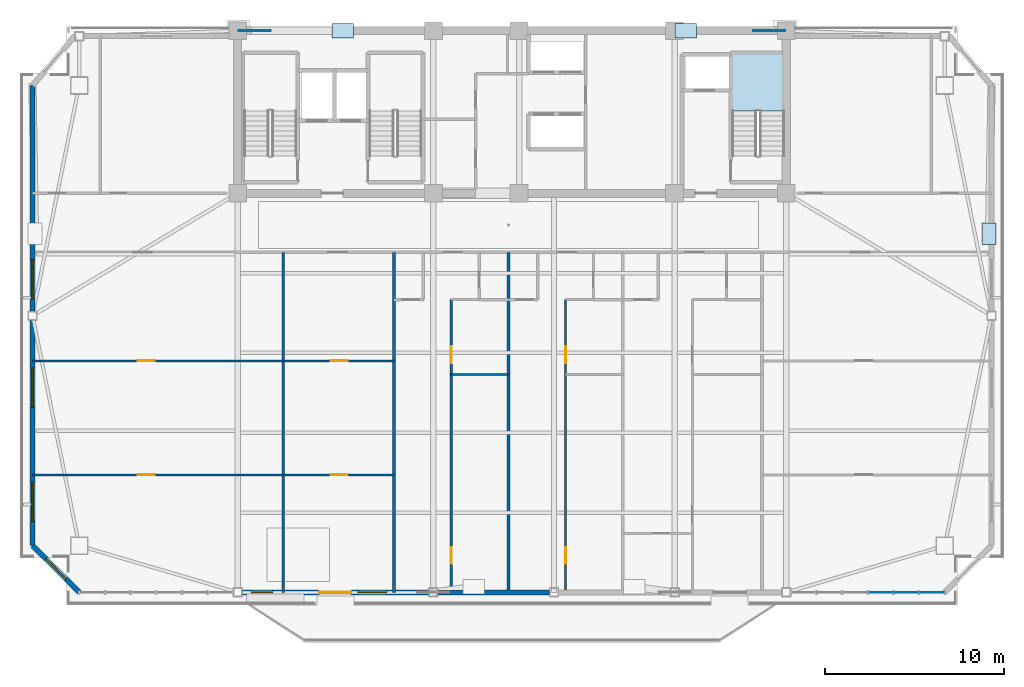
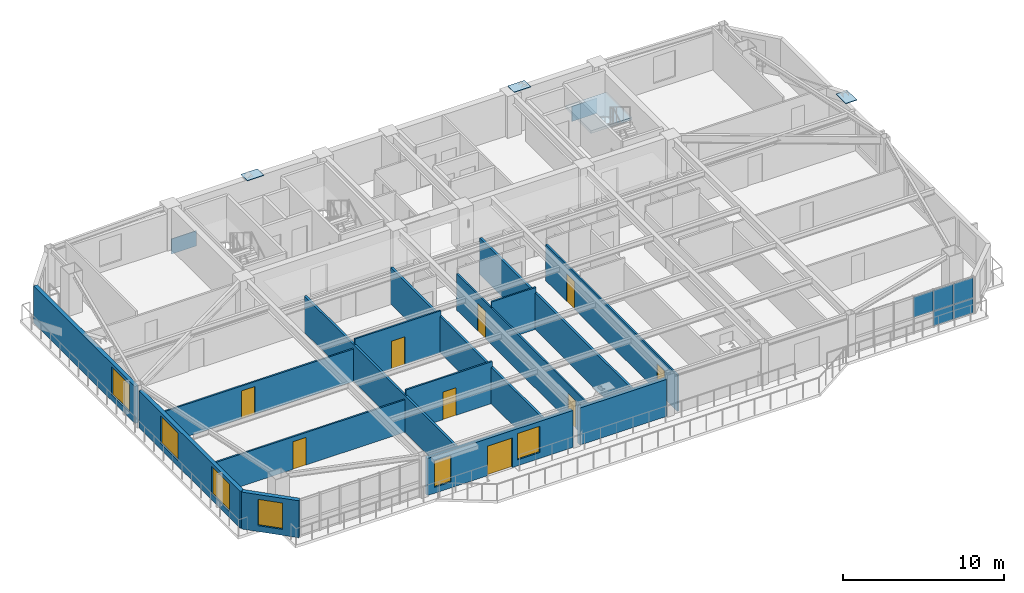
# One storey, part 8 of 17: 15 walls, 10 plates, 9 doors, 6 windows, 1 slab, 15 openings, 2 elements without a shape of their own.
"""IFC4 building model written with IfcOpenShell, lengths in metres."""

from ifc_helpers import new_model, si_unit, direction, frame, frame_2d, origin, origin_2d, place, context, subcontext, project, spatial, polyline, rectangle, outline, extrude, source, transform, mapped, material, layer, layer_set, type_object, element, fill, aggregate, save


model = new_model("IFC4")

# Units and contexts
model_context = context("Model", 3, precision=1e-05, world=origin(), true_north=direction((0.0, 1.0)))
body_context = subcontext(model_context, "Body", "Model", "MODEL_VIEW")
ifc_project = project(units=[si_unit("LENGTHUNIT", "METRE"), si_unit("AREAUNIT", "SQUARE_METRE"), si_unit("VOLUMEUNIT", "CUBIC_METRE"), si_unit("PLANEANGLEUNIT", "RADIAN"), si_unit("MASSUNIT", "GRAM", prefix="KILO")], contexts=[model_context])

# Site, building, storey
site_placement = place(None, origin())
site = spatial("IfcSite", under=ifc_project, at=site_placement, CompositionType="ELEMENT")
building_placement = place(site_placement, origin())
building = spatial("IfcBuilding", under=site, at=building_placement, Name="Giltprow Tower", CompositionType="ELEMENT")
storey_placement = place(building_placement, frame((0.0, 0.0, 248.5)))
storey = spatial("IfcBuildingStorey", under=building, at=storey_placement, Name="L63", CompositionType="ELEMENT", Elevation=248.5)

# Stair, slab
ifc_material_1 = material(Name="Concrete C40", Category="concrete")
stair_type = type_object("IfcStairType", Name="STR-ST-3", PredefinedType="HALF_TURN_STAIR", material=ifc_material_1)
stair_placement = place(storey_placement, origin())
stair = element("IfcStair", 1, at=stair_placement, inside=storey, type_object=stair_type, Name="L63 Core Exit Stair ST-3", PredefinedType="HALF_TURN_STAIR")
ifc_layer_1 = layer(ifc_material_1, 0.196044921875, Name="Concrete C40")
ifc_layer_set_1 = layer_set([ifc_layer_1], Name="Concrete C40")
slab_type = type_object("IfcSlabType", Name="SLD-ST-3", PredefinedType="LANDING", material=ifc_layer_set_1)
slab_placement = place(storey_placement, frame((0.0, 0.0, 1.50390625)))
slab = element("IfcSlab", 2, at=slab_placement, type_object=slab_type, Name="ST-3 landing 1", PredefinedType="LANDING", context=body_context, shape_type="SweptSolid", body=[
    extrude(outline(polyline([(50.4599609375, 42.070068359375), (50.4599609375, 45.25), (47.5, 45.25), (47.5, 42.070068359375), (50.4599609375, 42.070068359375)])), origin(), (0.0, 0.0, 1.0), 0.196044921875),
])
aggregate(stair, [slab])

# Plates
ifc_material_2 = material(Name="Structural steel Q420GJC", Category="steel")
plate_type_1 = type_object("IfcPlateType", Name="PLT-NODE-MBN1", PredefinedType="USERDEFINED", material=ifc_material_2)
shared_shape_1 = source(origin(), body_context, "Body", "SweptSolid", [
    extrude(rectangle(XDim=1.800048828125, YDim=0.050048828125, at=origin_2d()), origin(), (0.0, 0.0, 1.0), 1.14990234375),
])
for number, where, z_axis, x_axis, name in (
    (3, (20.800048828125, 46.550048828125, -0.71484375), (0.0, 0.0, 1.0), (1.0, 0.0, 0.0), "Mega-Brace Node L63-N-LA"),
    (4, (49.60009765625, 46.550048828125, -0.71484375), (0.0, 0.0, 1.0), (1.0, 0.0, 0.0), "Mega-Brace Node L63-N-RA"),
):
    element("IfcPlate", number, at=place(storey_placement, frame(where, z_axis=z_axis, x_axis=x_axis)), inside=storey, type_object=plate_type_1, Name=name, ObjectType="GUSSET", PredefinedType="USERDEFINED", context=body_context, shape_type="MappedRepresentation", body=[
        mapped(shared_shape_1, transform((0.0, 0.0, 0.0), x_axis=(1.0, 0.0, 0.0), y_axis=(0.0, 1.0, 0.0), z_axis=(0.0, 0.0, 1.0), scale=1.0)),
    ])
plate_type_2 = type_object("IfcPlateType", Name="PLT-CAP-SEAL", PredefinedType="USERDEFINED", material=ifc_material_2)
shared_shape_2 = source(origin(), body_context, "Body", "SweptSolid", [
    extrude(rectangle(XDim=1.199951171875, YDim=0.800048828125, at=origin_2d()), origin(), (0.0, 0.0, 1.0), 0.034912109375),
])
for number, where, z_axis, x_axis, name in (
    (5, (25.73291015625, 46.550048828125, 3.24267578125), (0.0, 0.0, 1.0), (1.0, 0.0, 0.0), "Mega-Brace Node L63-N-LB"),
    (6, (44.93310546875, 46.550048828125, 3.24267578125), (0.0, 0.0, 1.0), (1.0, 0.0, 0.0), "Mega-Brace Node L63-N-RB"),
    (7, (61.89892578125, 35.195068359375, 3.38232421875), (0.0, 0.0, 1.0), (0.0, 1.0, 0.0), "Mega-Brace Node L63-E-DB"),
):
    element("IfcPlate", number, at=place(storey_placement, frame(where, z_axis=z_axis, x_axis=x_axis)), inside=storey, type_object=plate_type_2, Name=name, ObjectType="SPLICE", PredefinedType="USERDEFINED", context=body_context, shape_type="MappedRepresentation", body=[
        mapped(shared_shape_2, transform((0.0, 0.0, 0.0), x_axis=(1.0, 0.0, 0.0), y_axis=(0.0, 1.0, 0.0), z_axis=(0.0, 0.0, 1.0), scale=1.0)),
    ])

# Curtain wall, plates
ifc_material_3 = material(Name="Anodized bronze", Category="metal")
ifc_layer_2 = layer(ifc_material_3, 0.179931640625, Name="Anodized bronze")
ifc_layer_set_2 = layer_set([ifc_layer_2], Name="Anodized bronze")
curtain_wall_type = type_object("IfcCurtainWallType", Name="CW-RES-SKY", PredefinedType="NOTDEFINED", material=ifc_layer_set_2)
curtain_wall_placement = place(storey_placement, origin())
curtain_wall = element("IfcCurtainWall", 8, at=curtain_wall_placement, inside=storey, type_object=curtain_wall_type, Name="L63 South Recessed Curtain Wall 6", PredefinedType="NOTDEFINED")
ifc_material_4 = material(Name="Insulated glass", Category="glass")
plate_type_3 = type_object("IfcPlateType", Name="CW-PANEL-IGU-28", PredefinedType="CURTAIN_PANEL", material=ifc_material_4)
shared_shape_3 = source(origin(), body_context, "Body", "SweptSolid", [
    extrude(rectangle(XDim=1.406982421875, YDim=0.028076171875, at=origin_2d()), origin(), (0.0, 0.0, 1.0), 1.114013671875),
])
plate_1_placement = place(storey_placement, frame((57.26611328125, 15.113037109375, 0.05419921875), z_axis=(0.0, 0.0, 1.0), x_axis=(1.0, 0.0, 0.0)))
plate_1 = element("IfcPlate", 9, at=plate_1_placement, type_object=plate_type_3, Name="L63 South Recessed Curtain Wall 6 Glazing Panel 5-1", PredefinedType="CURTAIN_PANEL", context=body_context, shape_type="MappedRepresentation", body=[
    mapped(shared_shape_3, transform((0.0, 0.0, 0.0), x_axis=(1.0, 0.0, 0.0), y_axis=(0.0, 1.0, 0.0), z_axis=(0.0, 0.0, 1.0), scale=1.0)),
])
plate_2_placement = place(storey_placement, frame((58.702880859375, 15.113037109375, 0.05419921875), z_axis=(0.0, 0.0, 1.0), x_axis=(1.0, 0.0, 0.0)))
plate_2 = element("IfcPlate", 10, at=plate_2_placement, type_object=plate_type_3, Name="L63 South Recessed Curtain Wall 6 Glazing Panel 6-1", PredefinedType="CURTAIN_PANEL", context=body_context, shape_type="MappedRepresentation", body=[
    mapped(shared_shape_3, transform((0.0, 0.0, 0.0), x_axis=(1.0, 0.0, 0.0), y_axis=(0.0, 1.0, 0.0), z_axis=(0.0, 0.0, 1.0), scale=1.0)),
])
shared_shape_4 = source(origin(), body_context, "Body", "SweptSolid", [
    extrude(rectangle(XDim=1.406982421875, YDim=0.028076171875, at=origin_2d()), origin(), (0.0, 0.0, 1.0), 1.56494140625),
])
plate_3_placement = place(storey_placement, frame((55.8291015625, 15.113037109375, 1.195556640625), z_axis=(0.0, 0.0, 1.0), x_axis=(1.0, 0.0, 0.0)))
plate_3 = element("IfcPlate", 11, at=plate_3_placement, type_object=plate_type_3, Name="L63 South Recessed Curtain Wall 6 Glazing Panel 4-2", PredefinedType="CURTAIN_PANEL", context=body_context, shape_type="MappedRepresentation", body=[
    mapped(shared_shape_4, transform((0.0, 0.0, 0.0), x_axis=(1.0, 0.0, 0.0), y_axis=(0.0, 1.0, 0.0), z_axis=(0.0, 0.0, 1.0), scale=1.0)),
])
plate_4_placement = place(storey_placement, frame((57.26611328125, 15.113037109375, 1.195556640625), z_axis=(0.0, 0.0, 1.0), x_axis=(1.0, 0.0, 0.0)))
plate_4 = element("IfcPlate", 12, at=plate_4_placement, type_object=plate_type_3, Name="L63 South Recessed Curtain Wall 6 Glazing Panel 5-2", PredefinedType="CURTAIN_PANEL", context=body_context, shape_type="MappedRepresentation", body=[
    mapped(shared_shape_4, transform((0.0, 0.0, 0.0), x_axis=(1.0, 0.0, 0.0), y_axis=(0.0, 1.0, 0.0), z_axis=(0.0, 0.0, 1.0), scale=1.0)),
])
plate_5_placement = place(storey_placement, frame((58.702880859375, 15.113037109375, 1.195556640625), z_axis=(0.0, 0.0, 1.0), x_axis=(1.0, 0.0, 0.0)))
plate_5 = element("IfcPlate", 13, at=plate_5_placement, type_object=plate_type_3, Name="L63 South Recessed Curtain Wall 6 Glazing Panel 6-2", PredefinedType="CURTAIN_PANEL", context=body_context, shape_type="MappedRepresentation", body=[
    mapped(shared_shape_4, transform((0.0, 0.0, 0.0), x_axis=(1.0, 0.0, 0.0), y_axis=(0.0, 1.0, 0.0), z_axis=(0.0, 0.0, 1.0), scale=1.0)),
])
aggregate(curtain_wall, [plate_3, plate_1, plate_4, plate_2, plate_5])

# Wall, opening, window
ifc_material_5 = material(Name="Precast concrete C40", Category="concrete")
ifc_layer_3 = layer(ifc_material_5, 0.300048828125, Name="Precast concrete C40")
ifc_layer_set_3 = layer_set([ifc_layer_3], Name="Precast concrete C40")
wall_type_1 = type_object("IfcWallType", Name="EW-NOTCH-CHAMFER-300", PredefinedType="SOLIDWALL", material=ifc_layer_set_3)
wall_1_placement = place(storey_placement, frame((8.364013671875, 17.72802734375, 0.0), z_axis=(0.0, 0.0, 1.0), x_axis=(0.707106781187, -0.707106781187, 0.0)))
wall_1 = element("IfcWall", 14, at=wall_1_placement, inside=storey, type_object=wall_type_1, Name="L63 Corner Notch Wall SW", PredefinedType="SOLIDWALL", context=body_context, shape_type="SweptSolid", body=[
    extrude(rectangle(XDim=3.6982421875, YDim=0.300048828125, at=frame_2d((1.84912109375, 0.0))), origin(), (0.0, 0.0, 1.0), 2.81494140625),
])
opening_1_placement = place(wall_1_placement, frame((1.049072265625, 0.0, 0.449951171875)))
opening_1 = element("IfcOpeningElement", 15, at=opening_1_placement, cuts=wall_1, Name="Opening WN17", PredefinedType="OPENING", context=body_context, shape_type="SweptSolid", body=[
    extrude(rectangle(XDim=1.60009765625, YDim=2.0, at=frame_2d((0.800048828125, 1.0))), frame((0.0, 0.159912109375, 0.0), z_axis=(0.0, -1.0, 0.0), x_axis=(1.0, 0.0, 0.0)), (0.0, 0.0, 1.0), 0.320068359375),
])
window_type_1 = type_object("IfcWindowType", Name="WN-COR-1600x2000", PartitioningType="SINGLE_PANEL", PredefinedType="WINDOW", material=ifc_material_4)
shared_shape_5 = source(origin(), body_context, "Body", "SweptSolid", [
    extrude(rectangle(XDim=1.60009765625, YDim=2.0, at=frame_2d((0.800048828125, 1.0))), frame((0.0, 0.030029296875, 0.0), z_axis=(0.0, -1.0, 0.0), x_axis=(1.0, 0.0, 0.0)), (0.0, 0.0, 1.0), 0.06005859375),
])
window_1_placement = place(opening_1_placement, origin())
window_1 = element("IfcWindow", 16, at=window_1_placement, inside=storey, type_object=window_type_1, Name="L63 Corner Notch Window SW", OverallHeight=2.0, OverallWidth=1.60009765625, PartitioningType="SINGLE_PANEL", PredefinedType="WINDOW", context=body_context, shape_type="MappedRepresentation", body=[
    mapped(shared_shape_5, transform((0.0, 0.0, 0.0), x_axis=(1.0, 0.0, 0.0), y_axis=(0.0, 1.0, 0.0), z_axis=(0.0, 0.0, 1.0), scale=1.0)),
])
fill(opening_1, window_1)

# Wall, openings, windows, door
ifc_layer_4 = layer(ifc_material_5, 0.280029296875, Name="Precast concrete C40")
ifc_layer_set_4 = layer_set([ifc_layer_4], Name="Precast concrete C40")
wall_type_2 = type_object("IfcWallType", Name="EW-TOW-BRONZE-280", PredefinedType="SOLIDWALL", material=ifc_layer_set_4)
wall_2_placement = place(storey_placement, frame((20.10009765625, 15.113037109375, 0.0), z_axis=(0.0, 0.0, 1.0), x_axis=(1.0, 0.0, 0.0)))
wall_2 = element("IfcWall", 17, at=wall_2_placement, inside=storey, type_object=wall_type_2, Name="L63 South Expressed Frame Wall 2", PredefinedType="SOLIDWALL", context=body_context, shape_type="SweptSolid", body=[
    extrude(rectangle(XDim=10.449951171875, YDim=0.280029296875, at=frame_2d((5.22509765625, 0.0))), origin(), (0.0, 0.0, 1.0), 2.81494140625),
])
opening_2_placement = place(wall_2_placement, frame((4.300048828125, 0.0, 0.0)))
opening_2 = element("IfcOpeningElement", 18, at=opening_2_placement, cuts=wall_2, Name="Opening ED25", PredefinedType="OPENING", context=body_context, shape_type="SweptSolid", body=[
    extrude(rectangle(XDim=1.800048828125, YDim=2.25, at=frame_2d((0.89990234375, 1.125))), frame((0.0, 0.14990234375, 0.0), z_axis=(0.0, -1.0, 0.0), x_axis=(1.0, 0.0, 0.0)), (0.0, 0.0, 1.0), 0.300048828125),
])
opening_3_placement = place(wall_2_placement, frame((0.5048828125, 0.0, 0.449951171875)))
opening_3 = element("IfcOpeningElement", 19, at=opening_3_placement, cuts=wall_2, Name="Opening WN11", PredefinedType="OPENING", context=body_context, shape_type="SweptSolid", body=[
    extrude(rectangle(XDim=1.199951171875, YDim=2.0, at=frame_2d((0.60009765625, 1.0))), frame((0.0, 0.14990234375, 0.0), z_axis=(0.0, -1.0, 0.0), x_axis=(1.0, 0.0, 0.0)), (0.0, 0.0, 1.0), 0.300048828125),
])
opening_4_placement = place(wall_2_placement, frame((6.47998046875, 0.0, 0.449951171875)))
opening_4 = element("IfcOpeningElement", 20, at=opening_4_placement, cuts=wall_2, Name="Opening WN17", PredefinedType="OPENING", context=body_context, shape_type="SweptSolid", body=[
    extrude(rectangle(XDim=1.60009765625, YDim=2.0, at=frame_2d((0.800048828125, 1.0))), frame((0.0, 0.14990234375, 0.0), z_axis=(0.0, -1.0, 0.0), x_axis=(1.0, 0.0, 0.0)), (0.0, 0.0, 1.0), 0.300048828125),
])
window_2_placement = place(opening_4_placement, origin())
window_2 = element("IfcWindow", 21, at=window_2_placement, inside=storey, type_object=window_type_1, Name="L63 South Window 2B", OverallHeight=2.0, OverallWidth=1.60009765625, PartitioningType="SINGLE_PANEL", PredefinedType="WINDOW", context=body_context, shape_type="MappedRepresentation", body=[
    mapped(shared_shape_5, transform((0.0, 0.0, 0.0), x_axis=(1.0, 0.0, 0.0), y_axis=(0.0, 1.0, 0.0), z_axis=(0.0, 0.0, 1.0), scale=1.0)),
])
fill(opening_4, window_2)
ifc_material_6 = material(Name="Anodized bronze and glass", Category="glass")
door_type_1 = type_object("IfcDoorType", Name="DR-BALC-SLIDE-1800", OperationType="SLIDING_TO_LEFT", PredefinedType="DOOR", material=ifc_material_6)
shared_shape_6 = source(origin(), body_context, "Body", "SweptSolid", [
    extrude(rectangle(XDim=1.800048828125, YDim=2.25, at=frame_2d((0.89990234375, 1.125))), frame((0.0, 0.02490234375, 0.0), z_axis=(0.0, -1.0, 0.0), x_axis=(1.0, 0.0, 0.0)), (0.0, 0.0, 1.0), 0.050048828125),
])
door_1_placement = place(opening_2_placement, origin())
door_1 = element("IfcDoor", 22, at=door_1_placement, inside=storey, type_object=door_type_1, Name="L63 Waterfront Balcony Sliding Door 1", OperationType="SLIDING_TO_LEFT", OverallHeight=2.25, OverallWidth=1.800048828125, PredefinedType="DOOR", context=body_context, shape_type="MappedRepresentation", body=[
    mapped(shared_shape_6, transform((0.0, 0.0, 0.0), x_axis=(1.0, 0.0, 0.0), y_axis=(0.0, 1.0, 0.0), z_axis=(0.0, 0.0, 1.0), scale=1.0)),
])
fill(opening_2, door_1)
window_type_2 = type_object("IfcWindowType", Name="WN-LANCET-1200x2000", PartitioningType="SINGLE_PANEL", PredefinedType="WINDOW", material=ifc_material_4)
shared_shape_7 = source(origin(), body_context, "Body", "SweptSolid", [
    extrude(rectangle(XDim=1.199951171875, YDim=2.0, at=frame_2d((0.60009765625, 1.0))), frame((0.0, 0.030029296875, 0.0), z_axis=(0.0, -1.0, 0.0), x_axis=(1.0, 0.0, 0.0)), (0.0, 0.0, 1.0), 0.06005859375),
])
window_3_placement = place(opening_3_placement, origin())
window_3 = element("IfcWindow", 23, at=window_3_placement, inside=storey, type_object=window_type_2, Name="L63 South Window 2A", OverallHeight=2.0, OverallWidth=1.199951171875, PartitioningType="SINGLE_PANEL", PredefinedType="WINDOW", context=body_context, shape_type="MappedRepresentation", body=[
    mapped(shared_shape_7, transform((0.0, 0.0, 0.0), x_axis=(1.0, 0.0, 0.0), y_axis=(0.0, 1.0, 0.0), z_axis=(0.0, 0.0, 1.0), scale=1.0)),
])
fill(opening_3, window_3)

# Wall
wall_3_placement = place(storey_placement, frame((31.050048828125, 15.113037109375, 0.0), z_axis=(0.0, 0.0, 1.0), x_axis=(1.0, 0.0, 0.0)))
element("IfcWall", 24, at=wall_3_placement, inside=storey, type_object=wall_type_2, Name="L63 South Expressed Frame Wall 3", PredefinedType="SOLIDWALL", context=body_context, shape_type="SweptSolid", body=[
    extrude(rectangle(XDim=6.25, YDim=0.280029296875, at=frame_2d((3.125, 0.0))), origin(), (0.0, 0.0, 1.0), 2.81494140625),
])

# Wall, openings, windows
wall_4_placement = place(storey_placement, frame((8.364013671875, 17.72802734375, 0.0), z_axis=(0.0, 0.0, 1.0), x_axis=(0.0, 1.0, 0.0)))
wall_4 = element("IfcWall", 25, at=wall_4_placement, inside=storey, type_object=wall_type_2, Name="L63 W Wing Masonry Wall 1", PredefinedType="SOLIDWALL", context=body_context, shape_type="SweptSolid", body=[
    extrude(rectangle(XDim=12.62890625, YDim=0.280029296875, at=frame_2d((6.314453125, 0.0))), origin(), (0.0, 0.0, 1.0), 2.81494140625),
])
opening_5_placement = place(wall_4_placement, frame((1.362060546875, 0.0, 0.449951171875)))
opening_5 = element("IfcOpeningElement", 26, at=opening_5_placement, cuts=wall_4, Name="Opening WN27", PredefinedType="OPENING", context=body_context, shape_type="SweptSolid", body=[
    extrude(rectangle(XDim=2.199951171875, YDim=2.10009765625, at=frame_2d((1.10009765625, 1.050048828125))), frame((0.0, 0.14990234375, 0.0), z_axis=(0.0, -1.0, 0.0), x_axis=(1.0, 0.0, 0.0)), (0.0, 0.0, 1.0), 0.300048828125),
])
opening_6_placement = place(wall_4_placement, frame((7.739990234375, 0.0, 0.449951171875)))
opening_6 = element("IfcOpeningElement", 27, at=opening_6_placement, cuts=wall_4, Name="Opening WN27", PredefinedType="OPENING", context=body_context, shape_type="SweptSolid", body=[
    extrude(rectangle(XDim=2.199951171875, YDim=2.10009765625, at=frame_2d((1.10009765625, 1.050048828125))), frame((0.0, 0.14990234375, 0.0), z_axis=(0.0, -1.0, 0.0), x_axis=(1.0, 0.0, 0.0)), (0.0, 0.0, 1.0), 0.300048828125),
])
window_type_3 = type_object("IfcWindowType", Name="WN-RES-2200x2100", PartitioningType="TRIPLE_PANEL_VERTICAL", PredefinedType="WINDOW", material=ifc_material_4)
shared_shape_8 = source(origin(), body_context, "Body", "SweptSolid", [
    extrude(rectangle(XDim=2.199951171875, YDim=2.10009765625, at=frame_2d((1.10009765625, 1.050048828125))), frame((0.0, 0.030029296875, 0.0), z_axis=(0.0, -1.0, 0.0), x_axis=(1.0, 0.0, 0.0)), (0.0, 0.0, 1.0), 0.06005859375),
])
window_4_placement = place(opening_5_placement, origin())
window_4 = element("IfcWindow", 28, at=window_4_placement, inside=storey, type_object=window_type_3, Name="L63 W Wing Window 1-1A", OverallHeight=2.10009765625, OverallWidth=2.199951171875, PartitioningType="SINGLE_PANEL", PredefinedType="WINDOW", context=body_context, shape_type="MappedRepresentation", body=[
    mapped(shared_shape_8, transform((0.0, 0.0, 0.0), x_axis=(1.0, 0.0, 0.0), y_axis=(0.0, 1.0, 0.0), z_axis=(0.0, 0.0, 1.0), scale=1.0)),
])
fill(opening_5, window_4)
window_5_placement = place(opening_6_placement, origin())
window_5 = element("IfcWindow", 29, at=window_5_placement, inside=storey, type_object=window_type_3, Name="L63 W Wing Window 1-1B", OverallHeight=2.10009765625, OverallWidth=2.199951171875, PartitioningType="SINGLE_PANEL", PredefinedType="WINDOW", context=body_context, shape_type="MappedRepresentation", body=[
    mapped(shared_shape_8, transform((0.0, 0.0, 0.0), x_axis=(1.0, 0.0, 0.0), y_axis=(0.0, 1.0, 0.0), z_axis=(0.0, 0.0, 1.0), scale=1.0)),
])
fill(opening_6, window_5)

# Wall, opening, window
wall_5_placement = place(storey_placement, frame((8.364013671875, 30.85693359375, 0.0), z_axis=(0.0, 0.0, 1.0), x_axis=(0.0, 1.0, 0.0)))
wall_5 = element("IfcWall", 30, at=wall_5_placement, inside=storey, type_object=wall_type_2, Name="L63 W Wing Masonry Wall 2", PredefinedType="SOLIDWALL", context=body_context, shape_type="SweptSolid", body=[
    extrude(rectangle(XDim=12.628173828125, YDim=0.280029296875, at=frame_2d((6.31396484375, 0.0))), origin(), (0.0, 0.0, 1.0), 2.81494140625),
])
opening_7_placement = place(wall_5_placement, frame((0.677978515625, 0.0, 0.449951171875)))
opening_7 = element("IfcOpeningElement", 31, at=opening_7_placement, cuts=wall_5, Name="Opening WN27", PredefinedType="OPENING", context=body_context, shape_type="SweptSolid", body=[
    extrude(rectangle(XDim=2.199951171875, YDim=2.10009765625, at=frame_2d((1.10009765625, 1.050048828125))), frame((0.0, 0.14990234375, 0.0), z_axis=(0.0, -1.0, 0.0), x_axis=(1.0, 0.0, 0.0)), (0.0, 0.0, 1.0), 0.300048828125),
])
window_6_placement = place(opening_7_placement, origin())
window_6 = element("IfcWindow", 32, at=window_6_placement, inside=storey, type_object=window_type_3, Name="L63 W Wing Window 2-1", OverallHeight=2.10009765625, OverallWidth=2.199951171875, PartitioningType="SINGLE_PANEL", PredefinedType="WINDOW", context=body_context, shape_type="MappedRepresentation", body=[
    mapped(shared_shape_8, transform((0.0, 0.0, 0.0), x_axis=(1.0, 0.0, 0.0), y_axis=(0.0, 1.0, 0.0), z_axis=(0.0, 0.0, 1.0), scale=1.0)),
])
fill(opening_7, window_6)

# Walls
ifc_material_7 = material(Name="Gypsum stud partition", Category="gypsum")
ifc_layer_5 = layer(ifc_material_7, 0.159912109375, Name="Gypsum stud partition")
ifc_layer_set_5 = layer_set([ifc_layer_5], Name="Gypsum stud partition")
wall_type_3 = type_object("IfcWallType", Name="IW-DEMISE-160", PredefinedType="PARTITIONING", material=ifc_layer_set_5)
for number, where, z_axis, x_axis, name in (
    (33, (22.39990234375, 15.113037109375, 0.0), (0.0, 0.0, 1.0), (0.0, 1.0, 0.0), "L63 Apartment Party Wall 1"),
    (34, (28.60009765625, 15.113037109375, 0.0), (0.0, 0.0, 1.0), (0.0, 1.0, 0.0), "L63 Apartment Party Wall 2"),
    (35, (35.0, 15.113037109375, 0.0), (0.0, 0.0, 1.0), (0.0, 1.0, 0.0), "L63 Apartment Party Wall 3"),
):
    element("IfcWall", number, at=place(storey_placement, frame(where, z_axis=z_axis, x_axis=x_axis)), inside=storey, type_object=wall_type_3, Name=name, PredefinedType="PARTITIONING", context=body_context, shape_type="SweptSolid", body=[
        extrude(rectangle(XDim=19.036865234375, YDim=0.159912109375, at=frame_2d((9.5185546875, 0.0))), origin(), (0.0, 0.0, 1.0), 2.77001953125),
    ])

# Wall, opening, door
ifc_layer_6 = layer(ifc_material_7, 0.1201171875, Name="Gypsum stud partition")
ifc_layer_set_6 = layer_set([ifc_layer_6], Name="Gypsum stud partition")
wall_type_4 = type_object("IfcWallType", Name="IW-ROOM-120", PredefinedType="PARTITIONING", material=ifc_layer_set_6)
wall_6_placement = place(storey_placement, frame((8.364013671875, 21.68994140625, 0.0), z_axis=(0.0, 0.0, 1.0), x_axis=(1.0, 0.0, 0.0)))
wall_6 = element("IfcWall", 36, at=wall_6_placement, inside=storey, type_object=wall_type_4, Name="L63 Special Split 1", PredefinedType="PARTITIONING", context=body_context, shape_type="SweptSolid", body=[
    extrude(rectangle(XDim=14.035888671875, YDim=0.1201171875, at=frame_2d((7.01806640625, 0.0))), origin(), (0.0, 0.0, 1.0), 2.469970703125),
])
opening_8_placement = place(wall_6_placement, frame((5.89990234375, 0.0, 0.0)))
opening_8 = element("IfcOpeningElement", 37, at=opening_8_placement, cuts=wall_6, Name="Opening ID11", PredefinedType="OPENING", context=body_context, shape_type="SweptSolid", body=[
    extrude(rectangle(XDim=0.949951171875, YDim=2.10009765625, at=frame_2d((0.47509765625, 1.050048828125))), frame((0.0, 0.070068359375, 0.0), z_axis=(0.0, -1.0, 0.0), x_axis=(1.0, 0.0, 0.0)), (0.0, 0.0, 1.0), 0.14013671875),
])
ifc_material_8 = material(Name="Engineered timber", Category="wood")
door_type_2 = type_object("IfcDoorType", Name="DR-ROOM-950", OperationType="SINGLE_SWING_RIGHT", PredefinedType="DOOR", material=ifc_material_8)
shared_shape_9 = source(origin(), body_context, "Body", "SweptSolid", [
    extrude(rectangle(XDim=0.949951171875, YDim=2.10009765625, at=frame_2d((0.47509765625, 1.050048828125))), frame((0.0, 0.02490234375, 0.0), z_axis=(0.0, -1.0, 0.0), x_axis=(1.0, 0.0, 0.0)), (0.0, 0.0, 1.0), 0.050048828125),
])
door_2_placement = place(opening_8_placement, origin())
door_2 = element("IfcDoor", 38, at=door_2_placement, inside=storey, type_object=door_type_2, Name="L63 Residents Home Office 1 South Door", OperationType="SINGLE_SWING_LEFT", OverallHeight=2.10009765625, OverallWidth=0.949951171875, PredefinedType="DOOR", context=body_context, shape_type="MappedRepresentation", body=[
    mapped(shared_shape_9, transform((0.0, 0.0, 0.0), x_axis=(1.0, 0.0, 0.0), y_axis=(0.0, 1.0, 0.0), z_axis=(0.0, 0.0, 1.0), scale=1.0)),
])
fill(opening_8, door_2)

wall_7_placement = place(storey_placement, frame((8.364013671875, 28.068115234375, 0.0), z_axis=(0.0, 0.0, 1.0), x_axis=(1.0, 0.0, 0.0)))
wall_7 = element("IfcWall", 39, at=wall_7_placement, inside=storey, type_object=wall_type_4, Name="L63 Special Split 2", PredefinedType="PARTITIONING", context=body_context, shape_type="SweptSolid", body=[
    extrude(rectangle(XDim=14.035888671875, YDim=0.1201171875, at=frame_2d((7.01806640625, 0.0))), origin(), (0.0, 0.0, 1.0), 2.469970703125),
])
opening_9_placement = place(wall_7_placement, frame((5.89990234375, 0.0, 0.0)))
opening_9 = element("IfcOpeningElement", 40, at=opening_9_placement, cuts=wall_7, Name="Opening ID11", PredefinedType="OPENING", context=body_context, shape_type="SweptSolid", body=[
    extrude(rectangle(XDim=0.949951171875, YDim=2.10009765625, at=frame_2d((0.47509765625, 1.050048828125))), frame((0.0, 0.070068359375, 0.0), z_axis=(0.0, -1.0, 0.0), x_axis=(1.0, 0.0, 0.0)), (0.0, 0.0, 1.0), 0.14013671875),
])
door_3_placement = place(opening_9_placement, origin())
door_3 = element("IfcDoor", 41, at=door_3_placement, inside=storey, type_object=door_type_2, Name="L63 Residents Home Office 1 Mid Door", OperationType="SINGLE_SWING_RIGHT", OverallHeight=2.10009765625, OverallWidth=0.949951171875, PredefinedType="DOOR", context=body_context, shape_type="MappedRepresentation", body=[
    mapped(shared_shape_9, transform((0.0, 0.0, 0.0), x_axis=(1.0, 0.0, 0.0), y_axis=(0.0, 1.0, 0.0), z_axis=(0.0, 0.0, 1.0), scale=1.0)),
])
fill(opening_9, door_3)

wall_8_placement = place(storey_placement, frame((22.39990234375, 21.68994140625, 0.0), z_axis=(0.0, 0.0, 1.0), x_axis=(1.0, 0.0, 0.0)))
wall_8 = element("IfcWall", 42, at=wall_8_placement, inside=storey, type_object=wall_type_4, Name="L63 Special Split 1", PredefinedType="PARTITIONING", context=body_context, shape_type="SweptSolid", body=[
    extrude(rectangle(XDim=6.2001953125, YDim=0.1201171875, at=frame_2d((3.10009765625, 0.0))), origin(), (0.0, 0.0, 1.0), 3.18505859375),
])
opening_10_placement = place(wall_8_placement, frame((2.64599609375, 0.0, 0.0)))
opening_10 = element("IfcOpeningElement", 43, at=opening_10_placement, cuts=wall_8, Name="Opening ID11", PredefinedType="OPENING", context=body_context, shape_type="SweptSolid", body=[
    extrude(rectangle(XDim=0.949951171875, YDim=2.10009765625, at=frame_2d((0.47509765625, 1.050048828125))), frame((0.0, 0.070068359375, 0.0), z_axis=(0.0, -1.0, 0.0), x_axis=(1.0, 0.0, 0.0)), (0.0, 0.0, 1.0), 0.14013671875),
])
door_4_placement = place(opening_10_placement, origin())
door_4 = element("IfcDoor", 44, at=door_4_placement, inside=storey, type_object=door_type_2, Name="L63 Legal Study Office 2 South Door", OperationType="SINGLE_SWING_RIGHT", OverallHeight=2.10009765625, OverallWidth=0.949951171875, PredefinedType="DOOR", context=body_context, shape_type="MappedRepresentation", body=[
    mapped(shared_shape_9, transform((0.0, 0.0, 0.0), x_axis=(1.0, 0.0, 0.0), y_axis=(0.0, 1.0, 0.0), z_axis=(0.0, 0.0, 1.0), scale=1.0)),
])
fill(opening_10, door_4)

wall_9_placement = place(storey_placement, frame((22.39990234375, 28.068115234375, 0.0), z_axis=(0.0, 0.0, 1.0), x_axis=(1.0, 0.0, 0.0)))
wall_9 = element("IfcWall", 45, at=wall_9_placement, inside=storey, type_object=wall_type_4, Name="L63 Special Split 2", PredefinedType="PARTITIONING", context=body_context, shape_type="SweptSolid", body=[
    extrude(rectangle(XDim=6.2001953125, YDim=0.1201171875, at=frame_2d((3.10009765625, 0.0))), origin(), (0.0, 0.0, 1.0), 3.18505859375),
])
opening_11_placement = place(wall_9_placement, frame((2.64599609375, 0.0, 0.0)))
opening_11 = element("IfcOpeningElement", 46, at=opening_11_placement, cuts=wall_9, Name="Opening ID11", PredefinedType="OPENING", context=body_context, shape_type="SweptSolid", body=[
    extrude(rectangle(XDim=0.949951171875, YDim=2.10009765625, at=frame_2d((0.47509765625, 1.050048828125))), frame((0.0, 0.070068359375, 0.0), z_axis=(0.0, -1.0, 0.0), x_axis=(1.0, 0.0, 0.0)), (0.0, 0.0, 1.0), 0.14013671875),
])
door_5_placement = place(opening_11_placement, origin())
door_5 = element("IfcDoor", 47, at=door_5_placement, inside=storey, type_object=door_type_2, Name="L63 Legal Study Office 2 Mid Door", OperationType="SINGLE_SWING_LEFT", OverallHeight=2.10009765625, OverallWidth=0.949951171875, PredefinedType="DOOR", context=body_context, shape_type="MappedRepresentation", body=[
    mapped(shared_shape_9, transform((0.0, 0.0, 0.0), x_axis=(1.0, 0.0, 0.0), y_axis=(0.0, 1.0, 0.0), z_axis=(0.0, 0.0, 1.0), scale=1.0)),
])
fill(opening_11, door_5)

# Wall, openings, doors
wall_10_placement = place(storey_placement, frame((31.800048828125, 15.113037109375, 0.0), z_axis=(0.0, 0.0, 1.0), x_axis=(0.0, 1.0, 0.0)))
wall_10 = element("IfcWall", 48, at=wall_10_placement, inside=storey, type_object=wall_type_4, Name="L63 Unit 1 Bedroom Wall", PredefinedType="PARTITIONING", context=body_context, shape_type="SweptSolid", body=[
    extrude(rectangle(XDim=16.386962890625, YDim=0.1201171875, at=frame_2d((8.193359375, 0.0))), origin(), (0.0, 0.0, 1.0), 2.77001953125),
])
opening_12_placement = place(wall_10_placement, frame((1.590087890625, 0.0, 0.0)))
opening_12 = element("IfcOpeningElement", 49, at=opening_12_placement, cuts=wall_10, Name="Opening ID11", PredefinedType="OPENING", context=body_context, shape_type="SweptSolid", body=[
    extrude(rectangle(XDim=0.949951171875, YDim=2.10009765625, at=frame_2d((0.47509765625, 1.050048828125))), frame((0.0, 0.070068359375, 0.0), z_axis=(0.0, -1.0, 0.0), x_axis=(1.0, 0.0, 0.0)), (0.0, 0.0, 1.0), 0.14013671875),
])
opening_13_placement = place(wall_10_placement, frame((12.826904296875, 0.0, 0.0)))
opening_13 = element("IfcOpeningElement", 50, at=opening_13_placement, cuts=wall_10, Name="Opening ID11", PredefinedType="OPENING", context=body_context, shape_type="SweptSolid", body=[
    extrude(rectangle(XDim=0.949951171875, YDim=2.10009765625, at=frame_2d((0.47509765625, 1.050048828125))), frame((0.0, 0.070068359375, 0.0), z_axis=(0.0, -1.0, 0.0), x_axis=(1.0, 0.0, 0.0)), (0.0, 0.0, 1.0), 0.14013671875),
])
door_6_placement = place(opening_12_placement, origin())
door_6 = element("IfcDoor", 51, at=door_6_placement, inside=storey, type_object=door_type_2, Name="L63 Unit 1 Primary Bedroom Door", OperationType="SINGLE_SWING_RIGHT", OverallHeight=2.10009765625, OverallWidth=0.949951171875, PredefinedType="DOOR", context=body_context, shape_type="MappedRepresentation", body=[
    mapped(shared_shape_9, transform((0.0, 0.0, 0.0), x_axis=(1.0, 0.0, 0.0), y_axis=(0.0, 1.0, 0.0), z_axis=(0.0, 0.0, 1.0), scale=1.0)),
])
fill(opening_12, door_6)
door_7_placement = place(opening_13_placement, origin())
door_7 = element("IfcDoor", 52, at=door_7_placement, inside=storey, type_object=door_type_2, Name="L63 Unit 1 Second Bedroom Door", OperationType="SINGLE_SWING_LEFT", OverallHeight=2.10009765625, OverallWidth=0.949951171875, PredefinedType="DOOR", context=body_context, shape_type="MappedRepresentation", body=[
    mapped(shared_shape_9, transform((0.0, 0.0, 0.0), x_axis=(1.0, 0.0, 0.0), y_axis=(0.0, 1.0, 0.0), z_axis=(0.0, 0.0, 1.0), scale=1.0)),
])
fill(opening_13, door_7)

# Wall
wall_11_placement = place(storey_placement, frame((31.800048828125, 27.300048828125, 0.0), z_axis=(0.0, 0.0, 1.0), x_axis=(1.0, 0.0, 0.0)))
element("IfcWall", 53, at=wall_11_placement, inside=storey, type_object=wall_type_4, Name="L63 Unit 1 Second Bedroom Wall", PredefinedType="PARTITIONING", context=body_context, shape_type="SweptSolid", body=[
    extrude(rectangle(XDim=3.199951171875, YDim=0.1201171875, at=frame_2d((1.60009765625, 0.0))), origin(), (0.0, 0.0, 1.0), 3.18505859375),
])

# Wall, openings, doors
wall_12_placement = place(storey_placement, frame((38.199951171875, 15.113037109375, 0.0), z_axis=(0.0, 0.0, 1.0), x_axis=(0.0, 1.0, 0.0)))
wall_12 = element("IfcWall", 54, at=wall_12_placement, inside=storey, type_object=wall_type_4, Name="L63 Unit 2 Bedroom Wall", PredefinedType="PARTITIONING", context=body_context, shape_type="SweptSolid", body=[
    extrude(rectangle(XDim=16.386962890625, YDim=0.1201171875, at=frame_2d((8.193359375, 0.0))), origin(), (0.0, 0.0, 1.0), 2.77001953125),
])
opening_14_placement = place(wall_12_placement, frame((1.590087890625, 0.0, 0.0)))
opening_14 = element("IfcOpeningElement", 55, at=opening_14_placement, cuts=wall_12, Name="Opening ID11", PredefinedType="OPENING", context=body_context, shape_type="SweptSolid", body=[
    extrude(rectangle(XDim=0.949951171875, YDim=2.10009765625, at=frame_2d((0.47509765625, 1.050048828125))), frame((0.0, 0.070068359375, 0.0), z_axis=(0.0, -1.0, 0.0), x_axis=(1.0, 0.0, 0.0)), (0.0, 0.0, 1.0), 0.14013671875),
])
opening_15_placement = place(wall_12_placement, frame((12.826904296875, 0.0, 0.0)))
opening_15 = element("IfcOpeningElement", 56, at=opening_15_placement, cuts=wall_12, Name="Opening ID11", PredefinedType="OPENING", context=body_context, shape_type="SweptSolid", body=[
    extrude(rectangle(XDim=0.949951171875, YDim=2.10009765625, at=frame_2d((0.47509765625, 1.050048828125))), frame((0.0, 0.070068359375, 0.0), z_axis=(0.0, -1.0, 0.0), x_axis=(1.0, 0.0, 0.0)), (0.0, 0.0, 1.0), 0.14013671875),
])
door_8_placement = place(opening_14_placement, origin())
door_8 = element("IfcDoor", 57, at=door_8_placement, inside=storey, type_object=door_type_2, Name="L63 Unit 2 Primary Bedroom Door", OperationType="SINGLE_SWING_LEFT", OverallHeight=2.10009765625, OverallWidth=0.949951171875, PredefinedType="DOOR", context=body_context, shape_type="MappedRepresentation", body=[
    mapped(shared_shape_9, transform((0.0, 0.0, 0.0), x_axis=(1.0, 0.0, 0.0), y_axis=(0.0, 1.0, 0.0), z_axis=(0.0, 0.0, 1.0), scale=1.0)),
])
fill(opening_14, door_8)
door_9_placement = place(opening_15_placement, origin())
door_9 = element("IfcDoor", 58, at=door_9_placement, inside=storey, type_object=door_type_2, Name="L63 Unit 2 Second Bedroom Door", OperationType="SINGLE_SWING_RIGHT", OverallHeight=2.10009765625, OverallWidth=0.949951171875, PredefinedType="DOOR", context=body_context, shape_type="MappedRepresentation", body=[
    mapped(shared_shape_9, transform((0.0, 0.0, 0.0), x_axis=(1.0, 0.0, 0.0), y_axis=(0.0, 1.0, 0.0), z_axis=(0.0, 0.0, 1.0), scale=1.0)),
])
fill(opening_15, door_9)

save(model, "model.ifc")
